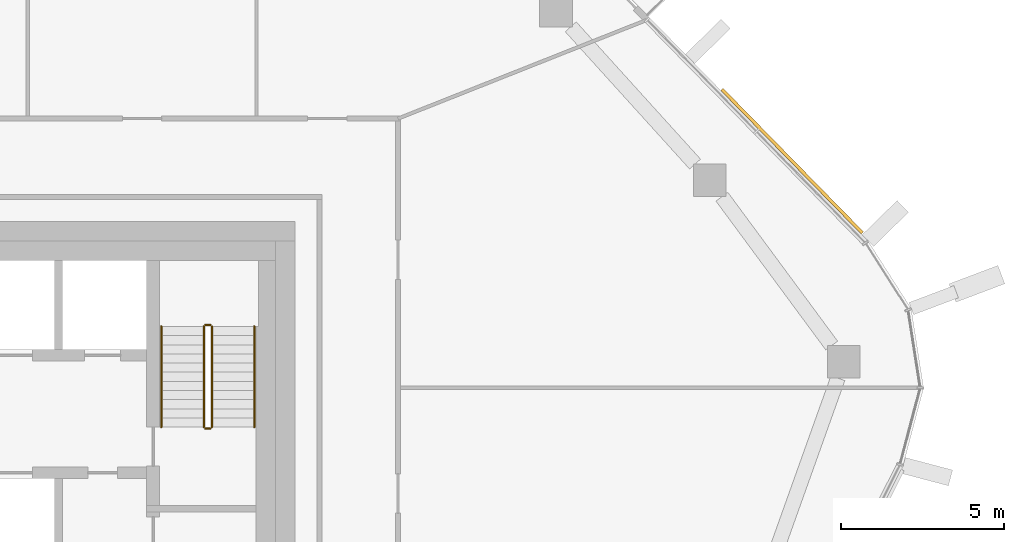
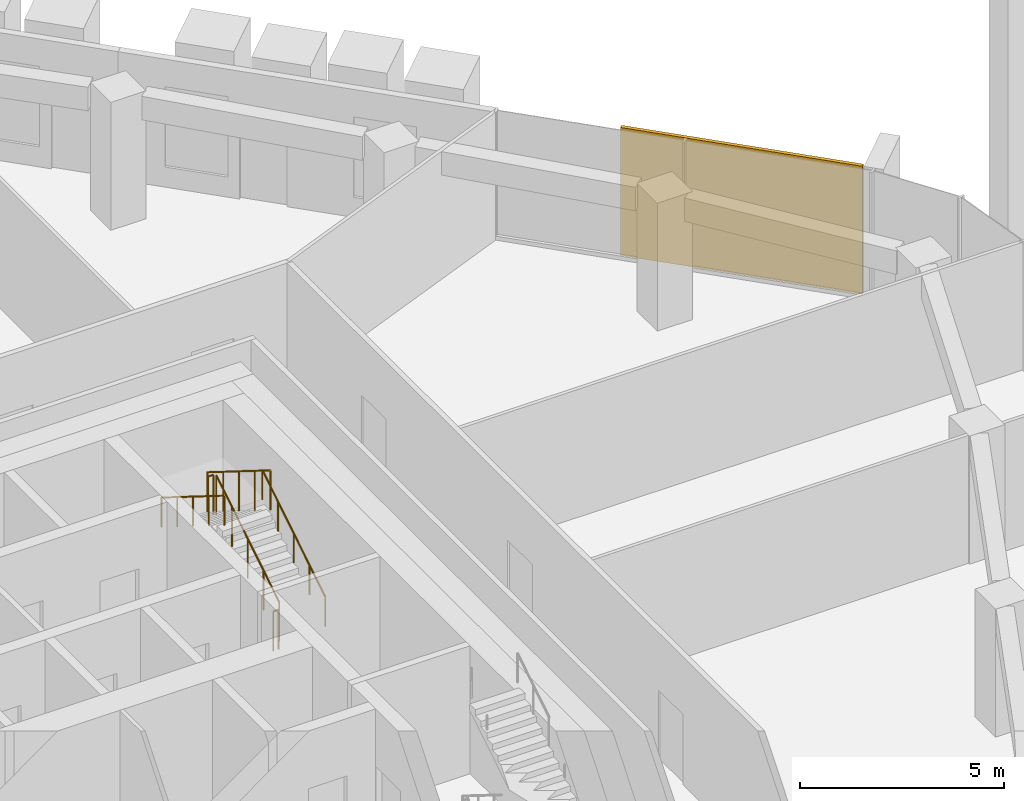
# One storey, part 23 of 24: 6 railings, 1 covering, 1 element without a shape of its own.
"""IFC4 building model written with IfcOpenShell, lengths in metres."""

import ifcopenshell
import ifcopenshell.guid

model = None  # the IFC model being written
_history = None  # IfcOwnerHistory: only IFC2X3 demands one
_inside = {}  # id of a spatial element -> (the spatial element, [elements in it])
_under = {}  # id of a project, library or spatial element -> (it, [spatial elements below it])
_declared = {}  # id of a project -> (the project, [libraries it declares])
_typed = {}  # id of a type object -> (the type object, [elements of that type])
_made_of = {}  # id of a material, layer set ... -> (it, [elements and type objects made of it])


def new_model(schema):
    """Start an empty IFC model of exactly this schema.

    Asked for "IFC4X3", IfcOpenShell would pick the latest addendum, in which some entities
    have other attributes; the version numbers below select the first issue.
    IFC2X3 requires an IfcOwnerHistory on every rooted entity: one is made here for all.
    """
    global model, _history
    if schema == "IFC4X3":
        model = ifcopenshell.file(schema_version=(4, 3, 0, 0))
    else:
        model = ifcopenshell.file(schema=schema)
    _inside.clear()
    _under.clear()
    _declared.clear()
    _typed.clear()
    _made_of.clear()
    _history = None
    if model.schema == "IFC2X3":
        org = make("IfcOrganization", Name="unknown")
        user = make(
            "IfcPersonAndOrganization",
            ThePerson=make("IfcPerson", FamilyName="unknown"),
            TheOrganization=org,
        )
        app = make(
            "IfcApplication",
            ApplicationDeveloper=org,
            Version="unknown",
            ApplicationFullName="unknown",
            ApplicationIdentifier="unknown",
        )
        _history = make(
            "IfcOwnerHistory",
            OwningUser=user,
            OwningApplication=app,
            ChangeAction="ADDED",
            CreationDate=0,
        )
    return model


def make(cls, **values):
    """One entity of the class cls with the attributes given. An attribute that is None is left unset."""
    return model.create_entity(
        cls, **{name: value for name, value in values.items() if value is not None}
    )


def rooted(cls, **values):
    """An entity with a GlobalId (a new one), such as an element, a storey or a relation."""
    return make(cls, GlobalId=ifcopenshell.guid.new(), OwnerHistory=_history, **values)


def si_unit(unit_type, name, prefix=None):
    """IfcSIUnit, for example si_unit("LENGTHUNIT", "METRE", prefix="MILLI")."""
    return make("IfcSIUnit", UnitType=unit_type, Prefix=prefix, Name=name)


def assignment(units):
    """IfcUnitAssignment: the units of a project."""
    return None if units is None else make("IfcUnitAssignment", Units=units)


def point(xyz):
    """IfcCartesianPoint."""
    return None if xyz is None else make("IfcCartesianPoint", Coordinates=xyz)


def direction(xyz):
    """IfcDirection."""
    return None if xyz is None else make("IfcDirection", DirectionRatios=xyz)


def frame(location, z_axis=None, x_axis=None):
    """IfcAxis2Placement3D, a coordinate frame: its origin and axes. An axis left out is left unset."""
    return make(
        "IfcAxis2Placement3D",
        Location=point(location),
        Axis=direction(z_axis),
        RefDirection=direction(x_axis),
    )


def frame_2d(location, x_axis=None):
    """IfcAxis2Placement2D, a coordinate frame in the plane: its origin and x axis."""
    return make(
        "IfcAxis2Placement2D", Location=point(location), RefDirection=direction(x_axis)
    )


def origin():
    """The frame at (0, 0, 0) with its axes left unset."""
    return frame((0.0, 0.0, 0.0))


def origin_2d():
    """The frame at (0, 0) in the plane with its x axis left unset."""
    return frame_2d((0.0, 0.0))


def place(relative_to, where):
    """IfcLocalPlacement: puts the frame where relative to a parent placement (None: the world)."""
    return make(
        "IfcLocalPlacement", PlacementRelTo=relative_to, RelativePlacement=where
    )


def context(
    kind, dimensions, precision=None, world=None, true_north=None, identifier=None
):
    """IfcGeometricRepresentationContext, for example the 3D "Model" context."""
    return make(
        "IfcGeometricRepresentationContext",
        ContextIdentifier=identifier,
        ContextType=kind,
        CoordinateSpaceDimension=dimensions,
        Precision=precision,
        WorldCoordinateSystem=world,
        TrueNorth=true_north,
    )


def subcontext(parent, identifier, kind, view, scale=None):
    """IfcGeometricRepresentationSubContext, for example "Body" below "Model"."""
    return make(
        "IfcGeometricRepresentationSubContext",
        ContextIdentifier=identifier,
        ContextType=kind,
        ParentContext=parent,
        TargetScale=scale,
        TargetView=view,
    )


def project(units=None, contexts=None):
    """IfcProject with its units and contexts."""
    return rooted(
        "IfcProject",
        Name="project",
        RepresentationContexts=contexts,
        UnitsInContext=assignment(units),
    )


def spatial(cls, under=None, at=None, **own):
    """A site, building, storey or space (cls), placed at a placement, below another one or the project."""
    s = rooted(cls, ObjectPlacement=at, **own)
    if under is not None:
        _under.setdefault(under.id(), (under, []))[1].append(s)
    return s


def profile(cls, at=None, kind="AREA", **sizes):
    """A parametric profile (cls). Its sizes go by their IFC names, for example OverallWidth=200.0."""
    return make(cls, ProfileType=kind, Position=at, **sizes)


def rectangle(**sizes):
    """IfcRectangleProfileDef."""
    return profile("IfcRectangleProfileDef", **sizes)


def circle(**sizes):
    """IfcCircleProfileDef."""
    return profile("IfcCircleProfileDef", **sizes)


def extrude(swept, where, along, depth):
    """IfcExtrudedAreaSolid: the profile swept, set in the frame where, extruded along a direction by depth."""
    return make(
        "IfcExtrudedAreaSolid",
        SweptArea=swept,
        Position=where,
        ExtrudedDirection=direction(along),
        Depth=depth,
    )


def shape(context_of_items, identifier, shape_type, items):
    """IfcShapeRepresentation: the items that make up one representation, for example the "Body"."""
    return make(
        "IfcShapeRepresentation",
        ContextOfItems=context_of_items,
        RepresentationIdentifier=identifier,
        RepresentationType=shape_type,
        Items=items,
    )


def material(Name=None, Category=None):
    """IfcMaterial."""
    return make("IfcMaterial", Name=Name, Category=Category)


def layer(
    of_material, thickness, ventilated=None, Name=None, Category=None, Priority=None
):
    """IfcMaterialLayer: one layer of a wall or slab, of a material (None: an air gap)."""
    return make(
        "IfcMaterialLayer",
        Material=of_material,
        LayerThickness=thickness,
        IsVentilated=ventilated,
        Name=Name,
        Category=Category,
        Priority=Priority,
    )


def layer_set(layers, Name=None):
    """IfcMaterialLayerSet."""
    return make("IfcMaterialLayerSet", MaterialLayers=layers, LayerSetName=Name)


def made_of(thing, what):
    """Note that an element or type object is made of a material, layer set ...; save() writes the relation."""
    if what is not None:
        _made_of.setdefault(what.id(), (what, []))[1].append(thing)
    return thing


def type_object(cls, material=None, **own):
    """A type object (cls), such as IfcWallType, which elements share."""
    return made_of(rooted(cls, **own), material)


def element(
    cls,
    number,
    at=None,
    inside=None,
    cuts=None,
    type_object=None,
    material=None,
    context=None,
    identifier="Body",
    shape_type=None,
    held_by="IfcProductDefinitionShape",
    body=None,
    shapes=None,
    **own,
):
    """One element of the class cls, such as IfcWall. Its Tag is "e" and its number.

    at: its placement. inside: the storey or other place that contains it. cuts: it is an
    opening in that element (IfcRelVoidsElement). A single representation is given by context,
    identifier, shape_type and body (its items); several are given by shapes. held_by: the class
    of the entity that holds the representations. save() writes the other relations.
    """
    e = rooted(cls, Tag="e%d" % number, ObjectPlacement=at, **own)
    if body is not None:
        shapes = [shape(context, identifier, shape_type, body)]
    if shapes is not None:
        e.Representation = make(held_by, Representations=shapes)
    if inside is not None:
        _inside.setdefault(inside.id(), (inside, []))[1].append(e)
    if cuts is not None:
        rooted(
            "IfcRelVoidsElement", RelatingBuildingElement=cuts, RelatedOpeningElement=e
        )
    if type_object is not None:
        _typed.setdefault(type_object.id(), (type_object, []))[1].append(e)
    return made_of(e, material)


def aggregate(whole, parts):
    """IfcRelAggregates: a whole, such as a stair, and the parts it consists of."""
    return rooted("IfcRelAggregates", RelatingObject=whole, RelatedObjects=parts)


def save(model, path):
    """Write the relations noted so far, then the file.

    IfcRelAggregates (storeys below a building ...), IfcRelContainedInSpatialStructure (elements
    in a storey), IfcRelDefinesByType, IfcRelAssociatesMaterial and IfcRelDeclares: one each for
    every whole, place, type object, material and project.
    """
    for whole, parts in _under.values():
        aggregate(whole, parts)
    for where, things in _inside.values():
        rooted(
            "IfcRelContainedInSpatialStructure",
            RelatedElements=things,
            RelatingStructure=where,
        )
    for kind, things in _typed.values():
        rooted("IfcRelDefinesByType", RelatedObjects=things, RelatingType=kind)
    for what, things in _made_of.values():
        rooted("IfcRelAssociatesMaterial", RelatedObjects=things, RelatingMaterial=what)
    for by, libraries in _declared.values():
        rooted("IfcRelDeclares", RelatingContext=by, RelatedDefinitions=libraries)
    model.write(path)


model = new_model("IFC4")

# Units and contexts
model_context = context("Model", 3, precision=1e-05, world=origin(), true_north=direction((0.0, 1.0)))
body_context = subcontext(model_context, "Body", "Model", "MODEL_VIEW")
ifc_project = project(units=[si_unit("LENGTHUNIT", "METRE"), si_unit("AREAUNIT", "SQUARE_METRE"), si_unit("VOLUMEUNIT", "CUBIC_METRE"), si_unit("PLANEANGLEUNIT", "RADIAN"), si_unit("MASSUNIT", "GRAM", prefix="KILO")], contexts=[model_context])

# Site, building, storey
site_placement = place(None, origin())
site = spatial("IfcSite", under=ifc_project, at=site_placement, CompositionType="ELEMENT")
building_placement = place(site_placement, origin())
building = spatial("IfcBuilding", under=site, at=building_placement, Name="Dongbaek Canopy Tower", CompositionType="ELEMENT")
storey_placement = place(building_placement, frame((0.0, 0.0, 306.800048828125)))
storey = spatial("IfcBuildingStorey", under=building, at=storey_placement, Name="L65", CompositionType="ELEMENT", Elevation=306.800048828125)

# Curtain wall, covering
ifc_material_1 = material(Name="Aluminium 6063-T6 pale anodised", Category="aluminium")
ifc_layer_1 = layer(ifc_material_1, 0.199951171875)
ifc_layer_set_1 = layer_set([ifc_layer_1], Name="CW-1 unitised tower curtain wall")
curtain_wall_type = type_object("IfcCurtainWallType", Name="CW-1 unitised tower curtain wall", PredefinedType="NOTDEFINED", material=ifc_layer_set_1)
curtain_wall_placement = place(storey_placement, origin())
curtain_wall = element("IfcCurtainWall", 1, at=curtain_wall_placement, inside=storey, type_object=curtain_wall_type, Name="CW-1 curtain wall F0.1", PredefinedType="NOTDEFINED")
ifc_material_2 = material(Name="Perforated aluminium 6063-T6 pale metal screen", Category="aluminium")
ifc_layer_2 = layer(ifc_material_2, 0.10009765625)
ifc_layer_set_2 = layer_set([ifc_layer_2], Name="Facet screen FS1 100 pale metal")
covering_type = type_object("IfcCoveringType", Name="Facet screen FS1 100 pale metal", PredefinedType="CLADDING", material=ifc_layer_set_2)
covering_placement = place(storey_placement, frame((29.22265625, 12.84765625, 0.0), z_axis=(0.0, 0.0, 1.0), x_axis=(-0.699349031354, 0.714780338527, 0.0)))
covering = element("IfcCovering", 2, at=covering_placement, type_object=covering_type, Name="Facet screen L65 F0", PredefinedType="CLADDING", context=body_context, shape_type="SweptSolid", body=[
    extrude(rectangle(XDim=6.148193359375, YDim=0.10009765625, at=origin_2d()), origin(), (0.0, 0.0, 1.0), 3.820068359375),
])
aggregate(curtain_wall, [covering])

# Railings
ifc_material_3 = material(Name="Stainless steel tube and balusters", Category="steel")
railing_type_1 = type_object("IfcRailingType", Name="Stair guard 1200", PredefinedType="GUARDRAIL", material=ifc_material_3)
railing_1_placement = place(storey_placement, frame((11.449951171875, 4.699951171875, 0.175048828125)))
element("IfcRailing", 3, at=railing_1_placement, inside=storey, type_object=railing_type_1, Name="L65 ST-A stair guard 1", PredefinedType="GUARDRAIL", context=body_context, shape_type="SweptSolid", body=[
    extrude(circle(Radius=0.02392578125, at=origin_2d()), frame((0.0, 0.0, 1.17578125), z_axis=(0.0, 0.848028513186, 0.529950602248), x_axis=(-1.0, 0.0, 0.0)), (0.0, 0.0, 1.0), 3.632080078125),
    extrude(circle(Radius=0.02099609375, at=origin_2d()), origin(), (0.0, 0.0, 1.0), 1.15185546875),
    extrude(circle(Radius=0.02099609375, at=origin_2d()), frame((0.0, 0.77001953125, 0.481201171875)), (0.0, 0.0, 1.0), 1.15185546875),
    extrude(circle(Radius=0.02099609375, at=origin_2d()), frame((0.0, 1.5400390625, 0.96240234375)), (0.0, 0.0, 1.0), 1.15185546875),
    extrude(circle(Radius=0.02099609375, at=origin_2d()), frame((0.0, 2.31005859375, 1.443603515625)), (0.0, 0.0, 1.0), 1.15185546875),
    extrude(circle(Radius=0.02099609375, at=origin_2d()), frame((0.0, 3.080078125, 1.9248046875)), (0.0, 0.0, 1.0), 1.15185546875),
])
railing_2_placement = place(storey_placement, frame((11.39990234375, 7.830078125, 2.099853515625)))
element("IfcRailing", 4, at=railing_2_placement, inside=storey, type_object=railing_type_1, Name="L65 ST-A stair guard 2", PredefinedType="GUARDRAIL", context=body_context, shape_type="SweptSolid", body=[
    extrude(circle(Radius=0.02392578125, at=origin_2d()), frame((0.0, 0.0, 1.17578125), z_axis=(-1.0, 0.0, 0.0), x_axis=(0.0, -1.0, 0.0)), (0.0, 0.0, 1.0), 0.14990234375),
    extrude(circle(Radius=0.02099609375, at=origin_2d()), origin(), (0.0, 0.0, 1.0), 1.15185546875),
    extrude(circle(Radius=0.02099609375, at=origin_2d()), frame((-0.14990234375, 0.0, 0.0)), (0.0, 0.0, 1.0), 1.15185546875),
])
railing_3_placement = place(storey_placement, frame((11.199951171875, 7.780029296875, 2.27490234375)))
element("IfcRailing", 5, at=railing_3_placement, inside=storey, type_object=railing_type_1, Name="L65 ST-A stair guard 3", PredefinedType="GUARDRAIL", context=body_context, shape_type="SweptSolid", body=[
    extrude(circle(Radius=0.02392578125, at=origin_2d()), frame((0.0, 0.0, 1.17578125), z_axis=(0.0, -0.847998304005, 0.529998940003), x_axis=(1.0, 0.0, 0.0)), (0.0, 0.0, 1.0), 3.632080078125),
    extrude(circle(Radius=0.02099609375, at=origin_2d()), origin(), (0.0, 0.0, 1.0), 1.15185546875),
    extrude(circle(Radius=0.02099609375, at=origin_2d()), frame((0.0, -0.77001953125, 0.481201171875)), (0.0, 0.0, 1.0), 1.15185546875),
    extrude(circle(Radius=0.02099609375, at=origin_2d()), frame((0.0, -1.5400390625, 0.96240234375)), (0.0, 0.0, 1.0), 1.15185546875),
    extrude(circle(Radius=0.02099609375, at=origin_2d()), frame((0.0, -2.31005859375, 1.44384765625)), (0.0, 0.0, 1.0), 1.15185546875),
    extrude(circle(Radius=0.02099609375, at=origin_2d()), frame((0.0, -3.080078125, 1.925048828125)), (0.0, 0.0, 1.0), 1.15185546875),
])
railing_4_placement = place(storey_placement, frame((11.39990234375, 4.64990234375, 0.0)))
element("IfcRailing", 6, at=railing_4_placement, inside=storey, type_object=railing_type_1, Name="L65 ST-A stair guard 4", PredefinedType="GUARDRAIL", context=body_context, shape_type="SweptSolid", body=[
    extrude(circle(Radius=0.02392578125, at=origin_2d()), frame((0.0, 0.0, 1.17578125), z_axis=(-1.0, 0.0, 0.0), x_axis=(0.0, -1.0, 0.0)), (0.0, 0.0, 1.0), 0.14990234375),
    extrude(circle(Radius=0.02099609375, at=origin_2d()), origin(), (0.0, 0.0, 1.0), 1.15185546875),
    extrude(circle(Radius=0.02099609375, at=origin_2d()), frame((-0.14990234375, 0.0, 0.0)), (0.0, 0.0, 1.0), 1.15185546875),
])
ifc_material_4 = material(Name="Stainless steel tube", Category="steel")
railing_type_2 = type_object("IfcRailingType", Name="Stair handrail 900", PredefinedType="HANDRAIL", material=ifc_material_4)
railing_5_placement = place(storey_placement, frame((12.75, 4.699951171875, 0.175048828125)))
element("IfcRailing", 7, at=railing_5_placement, inside=storey, type_object=railing_type_2, Name="L65 ST-A stair handrail 1", PredefinedType="HANDRAIL", context=body_context, shape_type="SweptSolid", body=[
    extrude(circle(Radius=0.02392578125, at=origin_2d()), frame((0.0, 0.0, 0.8759765625), z_axis=(0.0, 0.848028513186, 0.529950602248), x_axis=(-1.0, 0.0, 0.0)), (0.0, 0.0, 1.0), 3.632080078125),
    extrude(circle(Radius=0.02099609375, at=origin_2d()), origin(), (0.0, 0.0, 1.0), 0.851806640625),
    extrude(circle(Radius=0.02099609375, at=origin_2d()), frame((0.0, 0.77001953125, 0.481201171875)), (0.0, 0.0, 1.0), 0.851806640625),
    extrude(circle(Radius=0.02099609375, at=origin_2d()), frame((0.0, 1.5400390625, 0.96240234375)), (0.0, 0.0, 1.0), 0.851806640625),
    extrude(circle(Radius=0.02099609375, at=origin_2d()), frame((0.0, 2.31005859375, 1.443603515625)), (0.0, 0.0, 1.0), 0.851806640625),
    extrude(circle(Radius=0.02099609375, at=origin_2d()), frame((0.0, 3.080078125, 1.9248046875)), (0.0, 0.0, 1.0), 0.851806640625),
])
railing_6_placement = place(storey_placement, frame((9.89990234375, 7.780029296875, 2.27490234375)))
element("IfcRailing", 8, at=railing_6_placement, inside=storey, type_object=railing_type_2, Name="L65 ST-A stair handrail 2", PredefinedType="HANDRAIL", context=body_context, shape_type="SweptSolid", body=[
    extrude(circle(Radius=0.02392578125, at=origin_2d()), frame((0.0, 0.0, 0.8759765625), z_axis=(0.0, -0.847998304005, 0.529998940003), x_axis=(1.0, 0.0, 0.0)), (0.0, 0.0, 1.0), 3.632080078125),
    extrude(circle(Radius=0.02099609375, at=origin_2d()), origin(), (0.0, 0.0, 1.0), 0.851806640625),
    extrude(circle(Radius=0.02099609375, at=origin_2d()), frame((0.0, -0.77001953125, 0.481201171875)), (0.0, 0.0, 1.0), 0.851806640625),
    extrude(circle(Radius=0.02099609375, at=origin_2d()), frame((0.0, -1.5400390625, 0.96240234375)), (0.0, 0.0, 1.0), 0.851806640625),
    extrude(circle(Radius=0.02099609375, at=origin_2d()), frame((0.0, -2.31005859375, 1.44384765625)), (0.0, 0.0, 1.0), 0.851806640625),
    extrude(circle(Radius=0.02099609375, at=origin_2d()), frame((0.0, -3.080078125, 1.925048828125)), (0.0, 0.0, 1.0), 0.851806640625),
])

save(model, "model.ifc")
